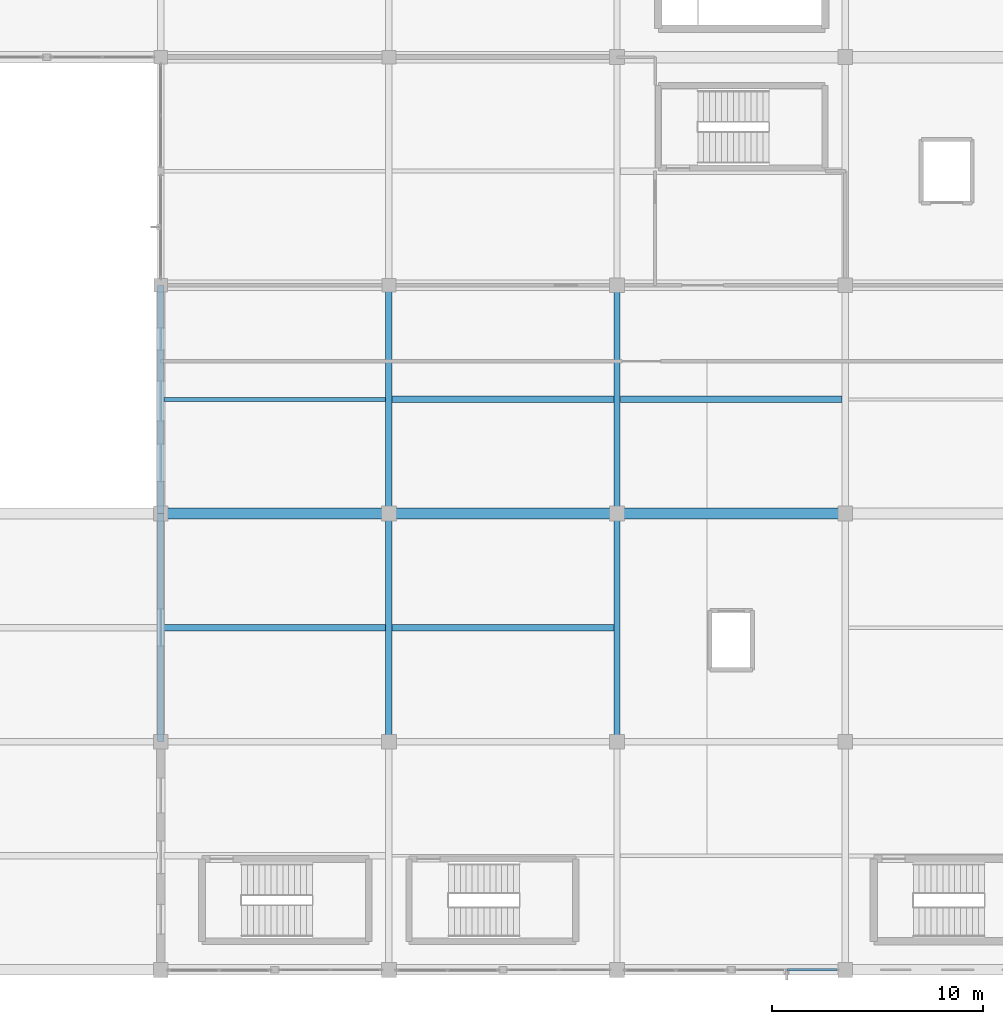
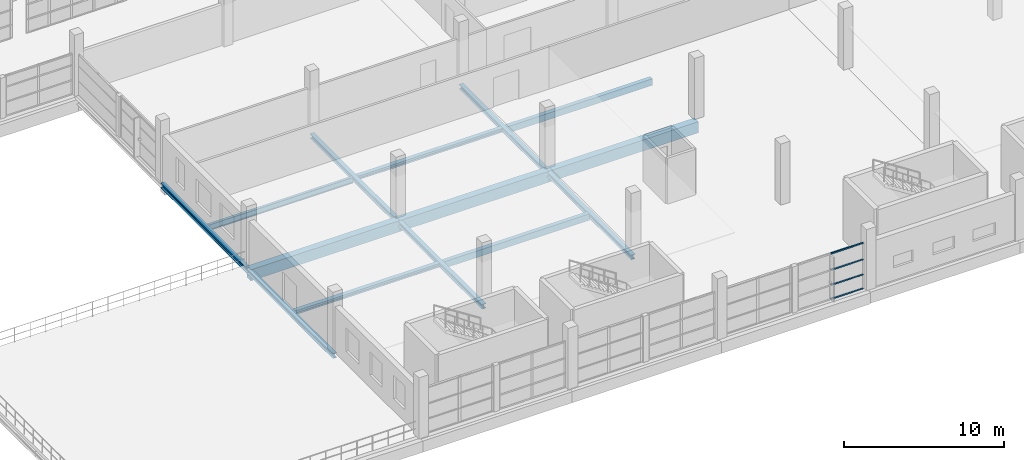
# One storey, part 54 of 142: 14 beams, 4 members, 1 element without a shape of its own.
"""IFC4 building model written with IfcOpenShell, lengths in metres."""

import ifcopenshell
import ifcopenshell.guid

model = None  # the IFC model being written
_history = None  # IfcOwnerHistory: only IFC2X3 demands one
_inside = {}  # id of a spatial element -> (the spatial element, [elements in it])
_under = {}  # id of a project, library or spatial element -> (it, [spatial elements below it])
_declared = {}  # id of a project -> (the project, [libraries it declares])
_typed = {}  # id of a type object -> (the type object, [elements of that type])
_made_of = {}  # id of a material, layer set ... -> (it, [elements and type objects made of it])


def new_model(schema):
    """Start an empty IFC model of exactly this schema.

    Asked for "IFC4X3", IfcOpenShell would pick the latest addendum, in which some entities
    have other attributes; the version numbers below select the first issue.
    IFC2X3 requires an IfcOwnerHistory on every rooted entity: one is made here for all.
    """
    global model, _history
    if schema == "IFC4X3":
        model = ifcopenshell.file(schema_version=(4, 3, 0, 0))
    else:
        model = ifcopenshell.file(schema=schema)
    _inside.clear()
    _under.clear()
    _declared.clear()
    _typed.clear()
    _made_of.clear()
    _history = None
    if model.schema == "IFC2X3":
        org = make("IfcOrganization", Name="unknown")
        user = make(
            "IfcPersonAndOrganization",
            ThePerson=make("IfcPerson", FamilyName="unknown"),
            TheOrganization=org,
        )
        app = make(
            "IfcApplication",
            ApplicationDeveloper=org,
            Version="unknown",
            ApplicationFullName="unknown",
            ApplicationIdentifier="unknown",
        )
        _history = make(
            "IfcOwnerHistory",
            OwningUser=user,
            OwningApplication=app,
            ChangeAction="ADDED",
            CreationDate=0,
        )
    return model


def make(cls, **values):
    """One entity of the class cls with the attributes given. An attribute that is None is left unset."""
    return model.create_entity(
        cls, **{name: value for name, value in values.items() if value is not None}
    )


def rooted(cls, **values):
    """An entity with a GlobalId (a new one), such as an element, a storey or a relation."""
    return make(cls, GlobalId=ifcopenshell.guid.new(), OwnerHistory=_history, **values)


def si_unit(unit_type, name, prefix=None):
    """IfcSIUnit, for example si_unit("LENGTHUNIT", "METRE", prefix="MILLI")."""
    return make("IfcSIUnit", UnitType=unit_type, Prefix=prefix, Name=name)


def assignment(units):
    """IfcUnitAssignment: the units of a project."""
    return None if units is None else make("IfcUnitAssignment", Units=units)


def point(xyz):
    """IfcCartesianPoint."""
    return None if xyz is None else make("IfcCartesianPoint", Coordinates=xyz)


def direction(xyz):
    """IfcDirection."""
    return None if xyz is None else make("IfcDirection", DirectionRatios=xyz)


def frame(location, z_axis=None, x_axis=None):
    """IfcAxis2Placement3D, a coordinate frame: its origin and axes. An axis left out is left unset."""
    return make(
        "IfcAxis2Placement3D",
        Location=point(location),
        Axis=direction(z_axis),
        RefDirection=direction(x_axis),
    )


def frame_2d(location, x_axis=None):
    """IfcAxis2Placement2D, a coordinate frame in the plane: its origin and x axis."""
    return make(
        "IfcAxis2Placement2D", Location=point(location), RefDirection=direction(x_axis)
    )


def origin():
    """The frame at (0, 0, 0) with its axes left unset."""
    return frame((0.0, 0.0, 0.0))


def origin_2d():
    """The frame at (0, 0) in the plane with its x axis left unset."""
    return frame_2d((0.0, 0.0))


def place(relative_to, where):
    """IfcLocalPlacement: puts the frame where relative to a parent placement (None: the world)."""
    return make(
        "IfcLocalPlacement", PlacementRelTo=relative_to, RelativePlacement=where
    )


def context(
    kind, dimensions, precision=None, world=None, true_north=None, identifier=None
):
    """IfcGeometricRepresentationContext, for example the 3D "Model" context."""
    return make(
        "IfcGeometricRepresentationContext",
        ContextIdentifier=identifier,
        ContextType=kind,
        CoordinateSpaceDimension=dimensions,
        Precision=precision,
        WorldCoordinateSystem=world,
        TrueNorth=true_north,
    )


def subcontext(parent, identifier, kind, view, scale=None):
    """IfcGeometricRepresentationSubContext, for example "Body" below "Model"."""
    return make(
        "IfcGeometricRepresentationSubContext",
        ContextIdentifier=identifier,
        ContextType=kind,
        ParentContext=parent,
        TargetScale=scale,
        TargetView=view,
    )


def project(units=None, contexts=None):
    """IfcProject with its units and contexts."""
    return rooted(
        "IfcProject",
        Name="project",
        RepresentationContexts=contexts,
        UnitsInContext=assignment(units),
    )


def spatial(cls, under=None, at=None, **own):
    """A site, building, storey or space (cls), placed at a placement, below another one or the project."""
    s = rooted(cls, ObjectPlacement=at, **own)
    if under is not None:
        _under.setdefault(under.id(), (under, []))[1].append(s)
    return s


def profile(cls, at=None, kind="AREA", **sizes):
    """A parametric profile (cls). Its sizes go by their IFC names, for example OverallWidth=200.0."""
    return make(cls, ProfileType=kind, Position=at, **sizes)


def rectangle(**sizes):
    """IfcRectangleProfileDef."""
    return profile("IfcRectangleProfileDef", **sizes)


def i_section(**sizes):
    """IfcIShapeProfileDef."""
    return profile("IfcIShapeProfileDef", **sizes)


def extrude(swept, where, along, depth):
    """IfcExtrudedAreaSolid: the profile swept, set in the frame where, extruded along a direction by depth."""
    return make(
        "IfcExtrudedAreaSolid",
        SweptArea=swept,
        Position=where,
        ExtrudedDirection=direction(along),
        Depth=depth,
    )


def shape(context_of_items, identifier, shape_type, items):
    """IfcShapeRepresentation: the items that make up one representation, for example the "Body"."""
    return make(
        "IfcShapeRepresentation",
        ContextOfItems=context_of_items,
        RepresentationIdentifier=identifier,
        RepresentationType=shape_type,
        Items=items,
    )


def material(Name=None, Category=None):
    """IfcMaterial."""
    return make("IfcMaterial", Name=Name, Category=Category)


def material_profile(
    of_material, cross_section, Name=None, Category=None, Priority=None
):
    """IfcMaterialProfile: a cross section and its material."""
    return make(
        "IfcMaterialProfile",
        Name=Name,
        Material=of_material,
        Profile=cross_section,
        Priority=Priority,
        Category=Category,
    )


def profile_set(profiles, Name=None, composite=None):
    """IfcMaterialProfileSet."""
    return make(
        "IfcMaterialProfileSet",
        Name=Name,
        MaterialProfiles=profiles,
        CompositeProfile=composite,
    )


def made_of(thing, what):
    """Note that an element or type object is made of a material, layer set ...; save() writes the relation."""
    if what is not None:
        _made_of.setdefault(what.id(), (what, []))[1].append(thing)
    return thing


def type_object(cls, material=None, **own):
    """A type object (cls), such as IfcWallType, which elements share."""
    return made_of(rooted(cls, **own), material)


def element(
    cls,
    number,
    at=None,
    inside=None,
    cuts=None,
    type_object=None,
    material=None,
    context=None,
    identifier="Body",
    shape_type=None,
    held_by="IfcProductDefinitionShape",
    body=None,
    shapes=None,
    **own,
):
    """One element of the class cls, such as IfcWall. Its Tag is "e" and its number.

    at: its placement. inside: the storey or other place that contains it. cuts: it is an
    opening in that element (IfcRelVoidsElement). A single representation is given by context,
    identifier, shape_type and body (its items); several are given by shapes. held_by: the class
    of the entity that holds the representations. save() writes the other relations.
    """
    e = rooted(cls, Tag="e%d" % number, ObjectPlacement=at, **own)
    if body is not None:
        shapes = [shape(context, identifier, shape_type, body)]
    if shapes is not None:
        e.Representation = make(held_by, Representations=shapes)
    if inside is not None:
        _inside.setdefault(inside.id(), (inside, []))[1].append(e)
    if cuts is not None:
        rooted(
            "IfcRelVoidsElement", RelatingBuildingElement=cuts, RelatedOpeningElement=e
        )
    if type_object is not None:
        _typed.setdefault(type_object.id(), (type_object, []))[1].append(e)
    return made_of(e, material)


def aggregate(whole, parts):
    """IfcRelAggregates: a whole, such as a stair, and the parts it consists of."""
    return rooted("IfcRelAggregates", RelatingObject=whole, RelatedObjects=parts)


def save(model, path):
    """Write the relations noted so far, then the file.

    IfcRelAggregates (storeys below a building ...), IfcRelContainedInSpatialStructure (elements
    in a storey), IfcRelDefinesByType, IfcRelAssociatesMaterial and IfcRelDeclares: one each for
    every whole, place, type object, material and project.
    """
    for whole, parts in _under.values():
        aggregate(whole, parts)
    for where, things in _inside.values():
        rooted(
            "IfcRelContainedInSpatialStructure",
            RelatedElements=things,
            RelatingStructure=where,
        )
    for kind, things in _typed.values():
        rooted("IfcRelDefinesByType", RelatedObjects=things, RelatingType=kind)
    for what, things in _made_of.values():
        rooted("IfcRelAssociatesMaterial", RelatedObjects=things, RelatingMaterial=what)
    for by, libraries in _declared.values():
        rooted("IfcRelDeclares", RelatingContext=by, RelatedDefinitions=libraries)
    model.write(path)


model = new_model("IFC4")

# Units and contexts
model_context = context("Model", 3, precision=1e-05, world=origin(), true_north=direction((0.0, 1.0)))
body_context = subcontext(model_context, "Body", "Model", "MODEL_VIEW")
ifc_project = project(units=[si_unit("LENGTHUNIT", "METRE"), si_unit("AREAUNIT", "SQUARE_METRE"), si_unit("VOLUMEUNIT", "CUBIC_METRE"), si_unit("PLANEANGLEUNIT", "RADIAN"), si_unit("MASSUNIT", "GRAM", prefix="KILO")], contexts=[model_context])

# Site, building, storey
site_placement = place(None, origin())
site = spatial("IfcSite", under=ifc_project, at=site_placement, CompositionType="ELEMENT")
building_placement = place(site_placement, origin())
building = spatial("IfcBuilding", under=site, at=building_placement, Name="Zwinboog Wholesale Market", CompositionType="ELEMENT")
storey_placement = place(building_placement, frame((0.0, 0.0, 5.39990234375)))
storey = spatial("IfcBuildingStorey", under=building, at=storey_placement, Name="L01", CompositionType="ELEMENT", Elevation=5.39990234375)

# Beams
ifc_material_1 = material(Name="Precast concrete C45/55", Category="concrete")
ifc_material_profile_1 = material_profile(ifc_material_1, rectangle(XDim=0.5, YDim=0.85009765625, at=origin_2d()), Name="PC 500x850")
ifc_profile_set_1 = profile_set([ifc_material_profile_1], Name="Precast concrete C45/55")
beam_type_1 = type_object("IfcBeamType", Name="BT-03", PredefinedType="BEAM", material=ifc_profile_set_1)
beam_1_placement = place(storey_placement, frame((129.60009765625, 21.60009765625, -0.7568359375), z_axis=(1.0, 0.0, 0.0), x_axis=(0.0, 1.0, 0.0)))
element("IfcBeam", 1, at=beam_1_placement, inside=storey, type_object=beam_type_1, Name="BG-03 (BMG-L01-1296-0216-0441)", PredefinedType="BEAM", context=body_context, shape_type="SweptSolid", body=[
    extrude(rectangle(XDim=0.5, YDim=0.85009765625, at=origin_2d()), origin(), (0.0, 0.0, 1.0), 10.7998046875),
])
for number, where, z_axis, x_axis, name in (
    (2, (140.39990234375, 21.60009765625, -0.7568359375), (1.0, 0.0, 0.0), (0.0, 1.0, 0.0), "BG-03 (BMG-L01-1404-0216-0442)"),
    (3, (151.199951171875, 21.60009765625, -0.7568359375), (1.0, 0.0, 0.0), (0.0, 1.0, 0.0), "BG-03 (BMG-L01-1512-0216-0443)"),
):
    element("IfcBeam", number, at=place(storey_placement, frame(where, z_axis=z_axis, x_axis=x_axis)), inside=storey, type_object=beam_type_1, Name=name, PredefinedType="BEAM", context=body_context, shape_type="SweptSolid", body=[
        extrude(rectangle(XDim=0.5, YDim=0.85009765625, at=origin_2d()), origin(), (0.0, 0.0, 1.0), 10.800048828125),
    ])
ifc_material_profile_2 = material_profile(ifc_material_1, rectangle(XDim=0.300048828125, YDim=0.5, at=origin_2d()), Name="PC 300x500")
ifc_profile_set_2 = profile_set([ifc_material_profile_2], Name="Precast concrete C45/55")
beam_type_2 = type_object("IfcBeamType", Name="BT-10", PredefinedType="JOIST", material=ifc_profile_set_2)
for number, where, z_axis, x_axis, name in (
    (4, (140.550048828125, 16.199951171875, -0.581787109375), (1.0, 0.0, 0.0), (0.0, 1.0, 0.0), "BJ-01 (BMG-L01-1406-0162-0908)"),
    (5, (151.35009765625, 27.0, -0.581787109375), (1.0, 0.0, 0.0), (0.0, 1.0, 0.0), "BJ-01 (BMG-L01-1514-0270-0912)"),
):
    element("IfcBeam", number, at=place(storey_placement, frame(where, z_axis=z_axis, x_axis=x_axis)), inside=storey, type_object=beam_type_2, Name=name, PredefinedType="JOIST", context=body_context, shape_type="SweptSolid", body=[
        extrude(rectangle(XDim=0.300048828125, YDim=0.5, at=origin_2d()), origin(), (0.0, 0.0, 1.0), 10.5),
    ])
ifc_material_2 = material(Name="Steel S355", Category="steel")
ifc_material_profile_3 = material_profile(ifc_material_2, i_section(OverallWidth=0.300048828125, OverallDepth=0.35009765625, WebThickness=0.010009765625, FlangeThickness=0.017578125, FilletRadius=0.027099609375, at=origin_2d()), Name="HEA 360")
ifc_profile_set_3 = profile_set([ifc_material_profile_3], Name="Steel S355")
beam_type_3 = type_object("IfcBeamType", Name="BT-17", PredefinedType="BEAM", material=ifc_profile_set_3)
beam_2_placement = place(storey_placement, frame((129.60009765625, 10.800048828125, -0.5068359375), z_axis=(0.0, 1.0, 0.0), x_axis=(-1.0, 0.0, 0.0)))
element("IfcBeam", 6, at=beam_2_placement, inside=storey, type_object=beam_type_3, Name="SB-04 (BMG-L01-1296-0108-0704)", PredefinedType="BEAM", context=body_context, shape_type="SweptSolid", body=[
    extrude(i_section(OverallWidth=0.300048828125, OverallDepth=0.35009765625, WebThickness=0.010009765625, FlangeThickness=0.017578125, FilletRadius=0.027099609375, at=origin_2d()), origin(), (0.0, 0.0, 1.0), 10.800048828125),
])
beam_3_placement = place(storey_placement, frame((129.60009765625, 21.60009765625, -0.5068359375), z_axis=(0.0, 1.0, 0.0), x_axis=(-1.0, 0.0, 0.0)))
element("IfcBeam", 7, at=beam_3_placement, inside=storey, type_object=beam_type_3, Name="SB-04 (BMG-L01-1296-0216-0705)", PredefinedType="BEAM", context=body_context, shape_type="SweptSolid", body=[
    extrude(i_section(OverallWidth=0.300048828125, OverallDepth=0.35009765625, WebThickness=0.010009765625, FlangeThickness=0.017578125, FilletRadius=0.027099609375, at=origin_2d()), origin(), (0.0, 0.0, 1.0), 10.7998046875),
])
beam_4_placement = place(storey_placement, frame((140.39990234375, 10.800048828125, -0.5068359375), z_axis=(0.0, 1.0, 0.0), x_axis=(-1.0, 0.0, 0.0)))
element("IfcBeam", 8, at=beam_4_placement, inside=storey, type_object=beam_type_3, Name="SB-04 (BMG-L01-1404-0108-0713)", PredefinedType="BEAM", context=body_context, shape_type="SweptSolid", body=[
    extrude(i_section(OverallWidth=0.300048828125, OverallDepth=0.35009765625, WebThickness=0.010009765625, FlangeThickness=0.017578125, FilletRadius=0.027099609375, at=origin_2d()), origin(), (0.0, 0.0, 1.0), 10.800048828125),
])
beam_5_placement = place(storey_placement, frame((140.39990234375, 21.60009765625, -0.5068359375), z_axis=(0.0, 1.0, 0.0), x_axis=(-1.0, 0.0, 0.0)))
element("IfcBeam", 9, at=beam_5_placement, inside=storey, type_object=beam_type_3, Name="SB-04 (BMG-L01-1404-0216-0714)", PredefinedType="BEAM", context=body_context, shape_type="SweptSolid", body=[
    extrude(i_section(OverallWidth=0.300048828125, OverallDepth=0.35009765625, WebThickness=0.010009765625, FlangeThickness=0.017578125, FilletRadius=0.027099609375, at=origin_2d()), origin(), (0.0, 0.0, 1.0), 10.7998046875),
])
beam_6_placement = place(storey_placement, frame((151.199951171875, 10.800048828125, -0.5068359375), z_axis=(0.0, 1.0, 0.0), x_axis=(-1.0, 0.0, 0.0)))
element("IfcBeam", 10, at=beam_6_placement, inside=storey, type_object=beam_type_3, Name="SB-04 (BMG-L01-1512-0108-0722)", PredefinedType="BEAM", context=body_context, shape_type="SweptSolid", body=[
    extrude(i_section(OverallWidth=0.300048828125, OverallDepth=0.35009765625, WebThickness=0.010009765625, FlangeThickness=0.017578125, FilletRadius=0.027099609375, at=origin_2d()), origin(), (0.0, 0.0, 1.0), 10.800048828125),
])
beam_7_placement = place(storey_placement, frame((151.199951171875, 21.60009765625, -0.5068359375), z_axis=(0.0, 1.0, 0.0), x_axis=(-1.0, 0.0, 0.0)))
element("IfcBeam", 11, at=beam_7_placement, inside=storey, type_object=beam_type_3, Name="SB-04 (BMG-L01-1512-0216-0723)", PredefinedType="BEAM", context=body_context, shape_type="SweptSolid", body=[
    extrude(i_section(OverallWidth=0.300048828125, OverallDepth=0.35009765625, WebThickness=0.010009765625, FlangeThickness=0.017578125, FilletRadius=0.027099609375, at=origin_2d()), origin(), (0.0, 0.0, 1.0), 10.7998046875),
])
ifc_material_profile_4 = material_profile(ifc_material_2, i_section(OverallWidth=0.300048828125, OverallDepth=0.2900390625, WebThickness=0.008544921875, FlangeThickness=0.013916015625, FilletRadius=0.027099609375, at=origin_2d()), Name="HEA 300")
ifc_profile_set_4 = profile_set([ifc_material_profile_4], Name="Steel S355")
beam_type_4 = type_object("IfcBeamType", Name="BT-18", PredefinedType="JOIST", material=ifc_profile_set_4)
for number, where, z_axis, x_axis, name in (
    (12, (129.75, 16.199951171875, -0.476806640625), (1.0, 0.0, 0.0), (0.0, 1.0, 0.0), "SJ-01 (BMG-L01-1298-0162-0904)"),
    (13, (140.550048828125, 27.0, -0.476806640625), (1.0, 0.0, 0.0), (0.0, 1.0, 0.0), "SJ-01 (BMG-L01-1406-0270-0909)"),
):
    element("IfcBeam", number, at=place(storey_placement, frame(where, z_axis=z_axis, x_axis=x_axis)), inside=storey, type_object=beam_type_4, Name=name, PredefinedType="JOIST", context=body_context, shape_type="SweptSolid", body=[
        extrude(i_section(OverallWidth=0.300048828125, OverallDepth=0.2900390625, WebThickness=0.008544921875, FlangeThickness=0.013916015625, FilletRadius=0.027099609375, at=origin_2d()), origin(), (0.0, 0.0, 1.0), 10.5),
    ])
ifc_material_profile_5 = material_profile(ifc_material_2, i_section(OverallWidth=0.18994140625, OverallDepth=0.449951171875, WebThickness=0.009521484375, FlangeThickness=0.0146484375, FilletRadius=0.02099609375, at=origin_2d()), Name="IPE 450")
ifc_profile_set_5 = profile_set([ifc_material_profile_5], Name="Steel S355")
beam_type_5 = type_object("IfcBeamType", Name="BT-19", PredefinedType="JOIST", material=ifc_profile_set_5)
beam_8_placement = place(storey_placement, frame((129.75, 27.0, -0.556884765625), z_axis=(1.0, 0.0, 0.0), x_axis=(0.0, 1.0, 0.0)))
element("IfcBeam", 14, at=beam_8_placement, inside=storey, type_object=beam_type_5, Name="SJ-02 (BMG-L01-1298-0270-0905)", PredefinedType="JOIST", context=body_context, shape_type="SweptSolid", body=[
    extrude(i_section(OverallWidth=0.18994140625, OverallDepth=0.449951171875, WebThickness=0.009521484375, FlangeThickness=0.0146484375, FilletRadius=0.02099609375, at=origin_2d()), origin(), (0.0, 0.0, 1.0), 10.5),
])

# Curtain wall, members
ifc_material_3 = material(Name="Aluminium thermally broken curtain wall", Category="aluminium")
curtain_wall_type = type_object("IfcCurtainWallType", Name="CWT-OFF-15", PredefinedType="USERDEFINED", material=ifc_material_3)
curtain_wall_placement = place(storey_placement, origin())
curtain_wall = element("IfcCurtainWall", 15, at=curtain_wall_placement, inside=storey, type_object=curtain_wall_type, Name="CW-06 (CW-L01-126)", ObjectType="UNITIZED_CURTAIN_WALL", PredefinedType="USERDEFINED")
ifc_material_4 = material(Name="Aluminium EN AW-6060", Category="aluminium")
ifc_material_profile_6 = material_profile(ifc_material_4, rectangle(XDim=0.110107421875, YDim=0.06005859375, at=origin_2d()), Name="AL 60x110")
ifc_profile_set_6 = profile_set([ifc_material_profile_6], Name="Aluminium EN AW-6060")
member_type = type_object("IfcMemberType", Name="CWT-60x110", PredefinedType="USERDEFINED", material=ifc_profile_set_6)
member_1_placement = place(storey_placement, frame((159.257568359375, 0.0, 0.030029296875), z_axis=(1.0, 0.0, 0.0), x_axis=(0.0, 1.0, 0.0)))
member_1 = element("IfcMember", 16, at=member_1_placement, type_object=member_type, Name="CW-06 transom 2.1", ObjectType="TRANSOM", PredefinedType="USERDEFINED", context=body_context, shape_type="SweptSolid", body=[
    extrude(rectangle(XDim=0.110107421875, YDim=0.06005859375, at=origin_2d()), origin(), (0.0, 0.0, 1.0), 2.33740234375),
])
member_2_placement = place(storey_placement, frame((159.257568359375, 0.0, 1.10009765625), z_axis=(1.0, 0.0, 0.0), x_axis=(0.0, 1.0, 0.0)))
member_2 = element("IfcMember", 17, at=member_2_placement, type_object=member_type, Name="CW-06 transom 2.2", ObjectType="TRANSOM", PredefinedType="USERDEFINED", context=body_context, shape_type="SweptSolid", body=[
    extrude(rectangle(XDim=0.110107421875, YDim=0.06005859375, at=origin_2d()), origin(), (0.0, 0.0, 1.0), 2.33740234375),
])
member_3_placement = place(storey_placement, frame((159.257568359375, 0.0, 2.25), z_axis=(1.0, 0.0, 0.0), x_axis=(0.0, 1.0, 0.0)))
member_3 = element("IfcMember", 18, at=member_3_placement, type_object=member_type, Name="CW-06 transom 2.3", ObjectType="TRANSOM", PredefinedType="USERDEFINED", context=body_context, shape_type="SweptSolid", body=[
    extrude(rectangle(XDim=0.110107421875, YDim=0.06005859375, at=origin_2d()), origin(), (0.0, 0.0, 1.0), 2.33740234375),
])
member_4_placement = place(storey_placement, frame((159.257568359375, 0.0, 3.5), z_axis=(1.0, 0.0, 0.0), x_axis=(0.0, 1.0, 0.0)))
member_4 = element("IfcMember", 19, at=member_4_placement, type_object=member_type, Name="CW-06 transom 2.4", ObjectType="TRANSOM", PredefinedType="USERDEFINED", context=body_context, shape_type="SweptSolid", body=[
    extrude(rectangle(XDim=0.110107421875, YDim=0.06005859375, at=origin_2d()), origin(), (0.0, 0.0, 1.0), 2.33740234375),
])
aggregate(curtain_wall, [member_1, member_2, member_3, member_4])

save(model, "model.ifc")
